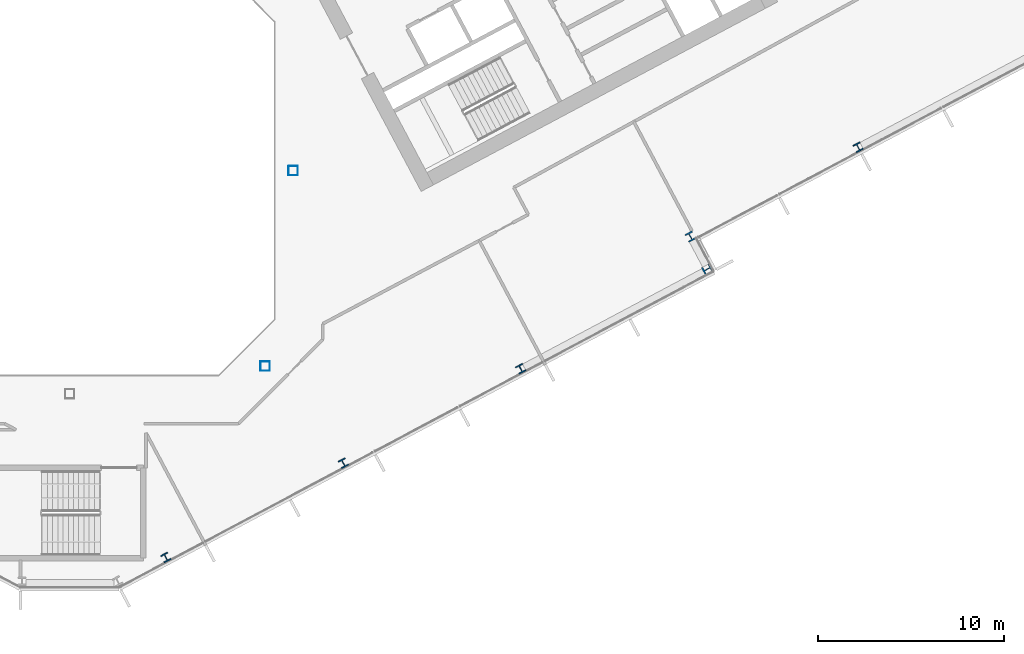
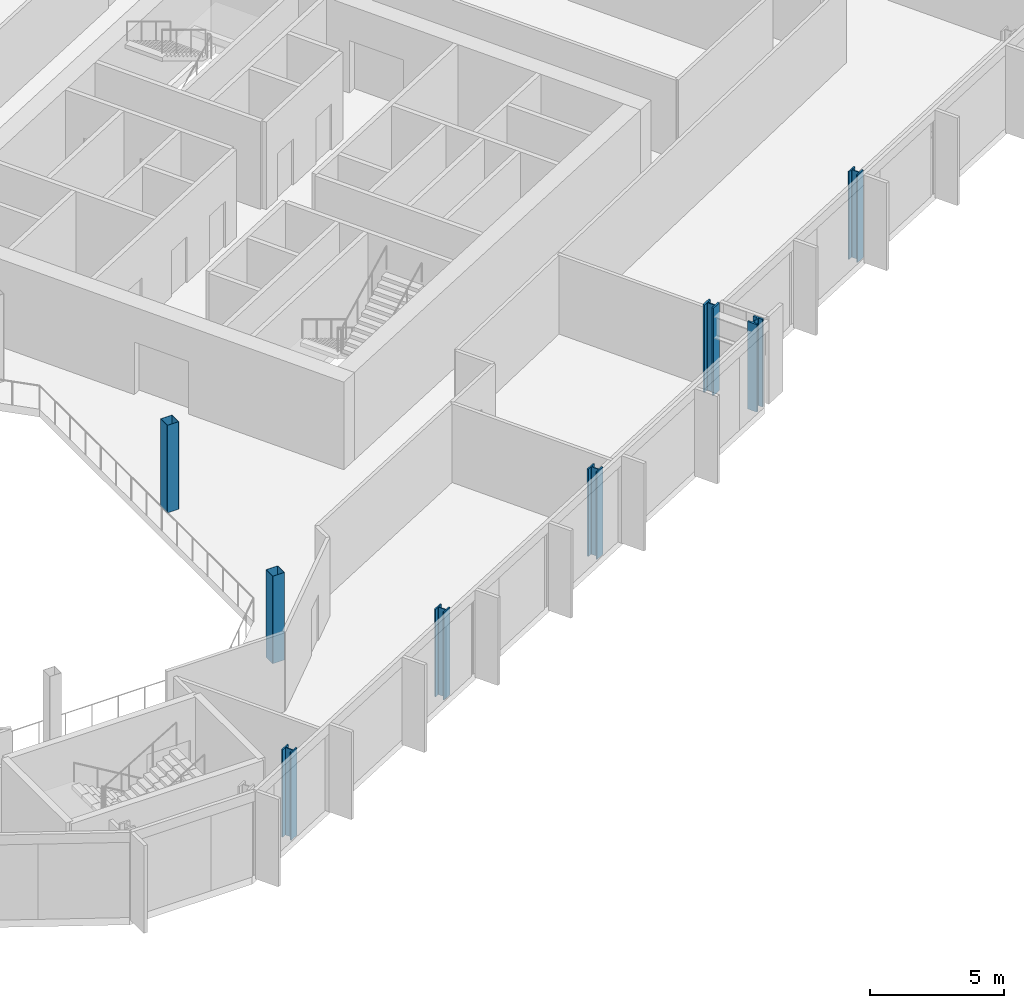
# One storey, part 5 of 28: 8 columns.
"""IFC4 building model written with IfcOpenShell, lengths in metres."""

from ifc_helpers import new_model, si_unit, direction, frame, origin, origin_2d, place, context, subcontext, project, spatial, hollow_rectangle, i_section, extrude, material, material_profile, profile_set, type_object, element, save


model = new_model("IFC4")

# Units and contexts
model_context = context("Model", 3, precision=1e-05, world=origin(), true_north=direction((0.0, 1.0)))
body_context = subcontext(model_context, "Body", "Model", "MODEL_VIEW")
ifc_project = project(units=[si_unit("LENGTHUNIT", "METRE"), si_unit("AREAUNIT", "SQUARE_METRE"), si_unit("VOLUMEUNIT", "CUBIC_METRE"), si_unit("PLANEANGLEUNIT", "RADIAN"), si_unit("MASSUNIT", "GRAM", prefix="KILO")], contexts=[model_context])

# Site, building, storey
site_placement = place(None, origin())
site = spatial("IfcSite", under=ifc_project, at=site_placement, CompositionType="ELEMENT")
building_placement = place(site_placement, origin())
building = spatial("IfcBuilding", under=site, at=building_placement, Name="Cormorant Relay Tower", CompositionType="ELEMENT")
storey_placement = place(building_placement, frame((0.0, 0.0, 174.199951171875)))
storey = spatial("IfcBuildingStorey", under=building, at=storey_placement, Name="L37", CompositionType="ELEMENT", Elevation=174.199951171875)

# Columns
ifc_material_1 = material(Name="Steel ASTM A500 Grade C (Fy 345 MPa)", Category="steel")
ifc_material_profile_1 = material_profile(ifc_material_1, hollow_rectangle(XDim=0.508056640625, YDim=0.508056640625, WallThickness=0.01171875, InnerFilletRadius=0.005859375, OuterFilletRadius=0.017822265625, at=origin_2d()), Name="HSS508x508x12")
ifc_profile_set_1 = profile_set([ifc_material_profile_1], Name="Steel ASTM A500 Grade C (Fy 345 MPa)")
column_type_1 = type_object("IfcColumnType", Name="Column HSS508x508x12", PredefinedType="COLUMN", material=ifc_profile_set_1)
for number, where, z_axis, x_axis, name in (
    (1, (10.5, -10.5, 0.0), (0.0, 0.0, 1.0), (1.0, 0.0, 0.0), "Column L37-010"),
    (2, (12.0, 0.0, 0.0), (0.0, 0.0, 1.0), (1.0, 0.0, 0.0), "Column L37-016"),
):
    element("IfcColumn", number, at=place(storey_placement, frame(where, z_axis=z_axis, x_axis=x_axis)), inside=storey, type_object=column_type_1, Name=name, PredefinedType="COLUMN", context=body_context, shape_type="SweptSolid", body=[
        extrude(hollow_rectangle(XDim=0.508056640625, YDim=0.508056640625, WallThickness=0.01171875, InnerFilletRadius=0.005859375, OuterFilletRadius=0.017822265625, at=origin_2d()), origin(), (0.0, 0.0, 1.0), 4.0),
    ])
ifc_material_2 = material(Name="Steel ASTM A992 (Fy 345 MPa)", Category="steel")
ifc_material_profile_2 = material_profile(ifc_material_2, i_section(OverallWidth=0.41162109375, OverallDepth=0.434326171875, WebThickness=0.035888671875, FlangeThickness=0.057373046875, FilletRadius=0.01513671875, at=origin_2d()), Name="W360x463")
ifc_profile_set_2 = profile_set([ifc_material_profile_2], Name="Steel ASTM A992 (Fy 345 MPa)")
column_type_2 = type_object("IfcColumnType", Name="Column W360x463", PredefinedType="COLUMN", material=ifc_profile_set_2)
for number, where, z_axis, x_axis, name in (
    (3, (5.1640625, -20.7890625, 0.0), (0.0, 0.0, 1.0), (0.882947592859, 0.469471562786, 0.0), "Column L37-003"),
    (4, (14.699951171875, -15.718994140625, 0.0), (0.0, 0.0, 1.0), (0.882947592859, 0.469471562786, 0.0), "Column L37-005"),
    (5, (24.236083984375, -10.64794921875, 0.0), (0.0, 0.0, 1.0), (0.882947592859, 0.469471562786, 0.0), "Column L37-008"),
    (6, (42.368896484375, 1.258056640625, 0.0), (0.0, 0.0, 1.0), (0.882947592859, 0.469471562786, 0.0), "Column L37-017"),
):
    element("IfcColumn", number, at=place(storey_placement, frame(where, z_axis=z_axis, x_axis=x_axis)), inside=storey, type_object=column_type_2, Name=name, PredefinedType="COLUMN", context=body_context, shape_type="SweptSolid", body=[
        extrude(i_section(OverallWidth=0.41162109375, OverallDepth=0.434326171875, WebThickness=0.035888671875, FlangeThickness=0.057373046875, FilletRadius=0.01513671875, at=origin_2d()), origin(), (0.0, 0.0, 1.0), 4.0),
    ])
ifc_material_3 = material(Name="Steel ASTM A992 (Fy 345 MPa)", Category="steel")
ifc_material_profile_3 = material_profile(ifc_material_3, i_section(OverallWidth=0.42431640625, OverallDepth=0.47509765625, WebThickness=0.0478515625, FlangeThickness=0.0771484375, FilletRadius=0.014892578125, at=origin_2d()), Name="W360x634")
ifc_profile_set_3 = profile_set([ifc_material_profile_3], Name="Steel ASTM A992 (Fy 345 MPa)")
column_type_3 = type_object("IfcColumnType", Name="Column W360x634", PredefinedType="COLUMN", material=ifc_profile_set_3)
for number, where, z_axis, x_axis, name in (
    (7, (34.256103515625, -5.297119140625, 0.0), (0.0, 0.0, 1.0), (-0.469471562786, 0.882947592859, 0.0), "Column L37-012"),
    (8, (33.35595703125, -3.54296875, 0.0), (0.0, 0.0, 1.0), (0.882947592859, 0.469471562786, 0.0), "Column L37-014"),
):
    element("IfcColumn", number, at=place(storey_placement, frame(where, z_axis=z_axis, x_axis=x_axis)), inside=storey, type_object=column_type_3, Name=name, PredefinedType="COLUMN", context=body_context, shape_type="SweptSolid", body=[
        extrude(i_section(OverallWidth=0.42431640625, OverallDepth=0.47509765625, WebThickness=0.0478515625, FlangeThickness=0.0771484375, FilletRadius=0.014892578125, at=origin_2d()), origin(), (0.0, 0.0, 1.0), 4.0),
    ])

save(model, "model.ifc")
